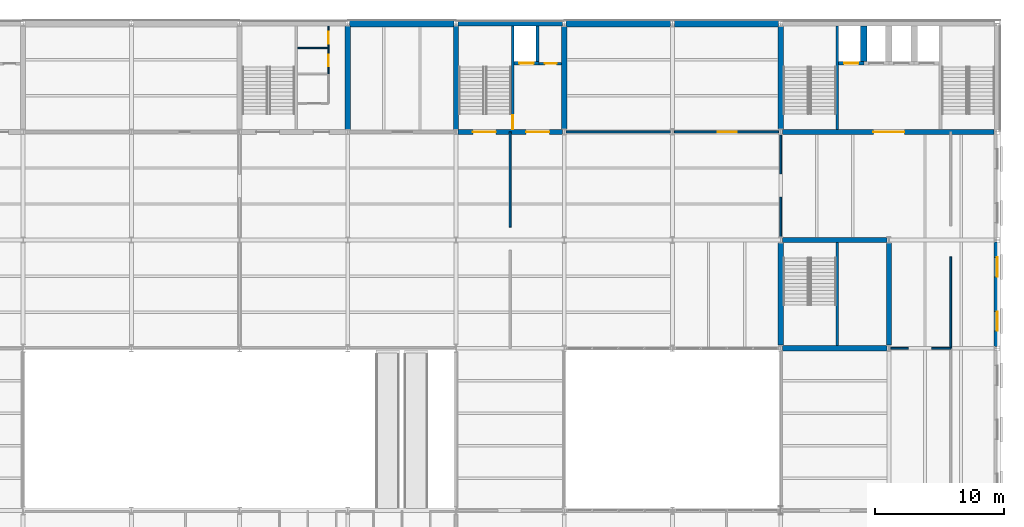
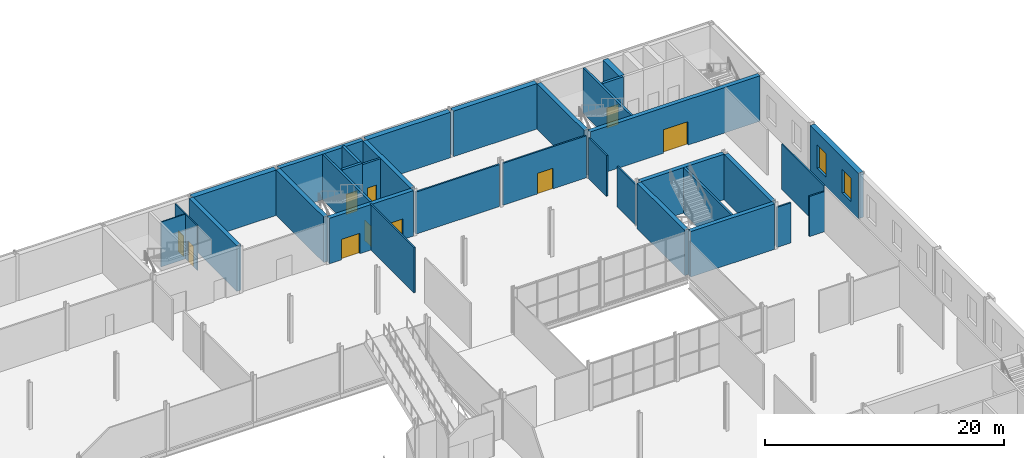
# One storey, part 33 of 57: 34 walls, 10 doors, 2 windows, 12 openings.
"""IFC4 building model written with IfcOpenShell, lengths in metres."""

from ifc_helpers import new_model, si_unit, direction, frame, frame_2d, origin, place, context, subcontext, project, spatial, rectangle, extrude, material, layer, layer_set, type_object, element, fill, save


model = new_model("IFC4")

# Units and contexts
model_context = context("Model", 3, precision=1e-05, world=origin(), true_north=direction((0.0, 1.0)))
body_context = subcontext(model_context, "Body", "Model", "MODEL_VIEW")
ifc_project = project(units=[si_unit("LENGTHUNIT", "METRE"), si_unit("AREAUNIT", "SQUARE_METRE"), si_unit("VOLUMEUNIT", "CUBIC_METRE"), si_unit("PLANEANGLEUNIT", "RADIAN"), si_unit("MASSUNIT", "GRAM", prefix="KILO")], contexts=[model_context])

# Site, building, storey
site_placement = place(None, origin())
site = spatial("IfcSite", under=ifc_project, at=site_placement, CompositionType="ELEMENT")
building_placement = place(site_placement, origin())
building = spatial("IfcBuilding", under=site, at=building_placement, Name="Galleria Vessillo Department Store", CompositionType="ELEMENT")
storey_placement = place(building_placement, frame((0.0, 0.0, 21.0)))
storey = spatial("IfcBuildingStorey", under=building, at=storey_placement, Name="L04", CompositionType="ELEMENT", Elevation=21.0)

# Wall
ifc_material_1 = material(Name="Solid clay block masonry", Category="masonry")
ifc_layer_1 = layer(ifc_material_1, 0.5)
ifc_layer_set_1 = layer_set([ifc_layer_1], Name="Solid clay block masonry")
wall_type_1 = type_object("IfcWallType", Name="Lift shaft partition wall 500 mm", PredefinedType="SOLIDWALL", material=ifc_layer_set_1)
wall_1_placement = place(storey_placement, frame((107.25, 62.800048828125, 0.0), z_axis=(0.0, 0.0, 1.0), x_axis=(0.0, -1.0, 0.0)))
element("IfcWall", 1, at=wall_1_placement, inside=storey, type_object=wall_type_1, Name="Lift shaft partition wall T1 L04", PredefinedType="SOLIDWALL", context=body_context, shape_type="SweptSolid", body=[
    extrude(rectangle(XDim=2.75, YDim=0.5, at=frame_2d((1.375, 0.0))), origin(), (0.0, 0.0, 1.0), 4.800048828125),
])

# Wall, opening, door
ifc_material_2 = material(Name="Solid clay block masonry", Category="masonry")
ifc_layer_2 = layer(ifc_material_2, 0.25)
ifc_layer_set_2 = layer_set([ifc_layer_2], Name="Solid clay block masonry")
wall_type_2 = type_object("IfcWallType", Name="Lift shaft wall 250 mm", PredefinedType="SOLIDWALL", material=ifc_layer_set_2)
wall_2_placement = place(storey_placement, frame((80.10009765625, 59.925048828125, 0.0), z_axis=(0.0, 0.0, 1.0), x_axis=(1.0, 0.0, 0.0)))
wall_2 = element("IfcWall", 2, at=wall_2_placement, inside=storey, type_object=wall_type_2, Name="Lift shaft wall LP6 landing side L04", PredefinedType="SOLIDWALL", context=body_context, shape_type="SweptSolid", body=[
    extrude(rectangle(XDim=1.949951171875, YDim=0.25, at=frame_2d((0.97509765625, 0.0))), origin(), (0.0, 0.0, 1.0), 4.800048828125),
])
opening_1_placement = place(wall_2_placement, frame((0.4248046875, 0.0, 0.0)))
opening_1 = element("IfcOpeningElement", 3, at=opening_1_placement, cuts=wall_2, Name="Opening LD047", PredefinedType="OPENING", context=body_context, shape_type="SweptSolid", body=[
    extrude(rectangle(XDim=1.10009765625, YDim=2.10009765625, at=frame_2d((0.550048828125, 1.050048828125))), frame((0.0, 0.135009765625, 0.0), z_axis=(0.0, -1.0, 0.0), x_axis=(1.0, 0.0, 0.0)), (0.0, 0.0, 1.0), 0.27001953125),
])
ifc_material_3 = material(Name="Stainless steel lift door panel", Category="steel")
door_type_1 = type_object("IfcDoorType", Name="Lift landing door LD110 sliding 1100 x 2100", OperationType="SLIDING_TO_LEFT", PredefinedType="DOOR", material=ifc_material_3)
door_1_placement = place(opening_1_placement, frame((1.10009765625, 0.0, 0.0), z_axis=(0.0, 0.0, 1.0), x_axis=(-1.0, 0.0, 0.0)))
door_1 = element("IfcDoor", 4, at=door_1_placement, inside=storey, type_object=door_type_1, Name="Lift landing door LP6 L04", OperationType="SLIDING_TO_RIGHT", OverallHeight=2.10009765625, OverallWidth=1.10009765625, PredefinedType="DOOR", context=body_context, shape_type="SweptSolid", body=[
    extrude(rectangle(XDim=1.10009765625, YDim=2.10009765625, at=frame_2d((0.550048828125, 1.050048828125))), frame((0.0, 0.02490234375, 0.0), z_axis=(0.0, -1.0, 0.0), x_axis=(1.0, 0.0, 0.0)), (0.0, 0.0, 1.0), 0.050048828125),
])
fill(opening_1, door_1)

# Wall
wall_3_placement = place(storey_placement, frame((81.925048828125, 62.800048828125, 0.0), z_axis=(0.0, 0.0, 1.0), x_axis=(0.0, -1.0, 0.0)))
element("IfcWall", 5, at=wall_3_placement, inside=storey, type_object=wall_type_2, Name="Lift shaft wall LP6 L04", PredefinedType="SOLIDWALL", context=body_context, shape_type="SweptSolid", body=[
    extrude(rectangle(XDim=2.75, YDim=0.25, at=frame_2d((1.375, 0.0))), origin(), (0.0, 0.0, 1.0), 4.800048828125),
])

# Wall, opening, door
wall_4_placement = place(storey_placement, frame((105.300048828125, 59.925048828125, 0.0), z_axis=(0.0, 0.0, 1.0), x_axis=(1.0, 0.0, 0.0)))
wall_4 = element("IfcWall", 6, at=wall_4_placement, inside=storey, type_object=wall_type_2, Name="Lift shaft wall T1 landing side L04", PredefinedType="SOLIDWALL", context=body_context, shape_type="SweptSolid", body=[
    extrude(rectangle(XDim=1.949951171875, YDim=0.25, at=frame_2d((0.97509765625, 0.0))), origin(), (0.0, 0.0, 1.0), 4.800048828125),
])
opening_2_placement = place(wall_4_placement, frame((0.4248046875, 0.0, 0.0)))
opening_2 = element("IfcOpeningElement", 7, at=opening_2_placement, cuts=wall_4, Name="Opening LD089", PredefinedType="OPENING", context=body_context, shape_type="SweptSolid", body=[
    extrude(rectangle(XDim=1.10009765625, YDim=2.10009765625, at=frame_2d((0.550048828125, 1.050048828125))), frame((0.0, 0.135009765625, 0.0), z_axis=(0.0, -1.0, 0.0), x_axis=(1.0, 0.0, 0.0)), (0.0, 0.0, 1.0), 0.27001953125),
])
door_2_placement = place(opening_2_placement, frame((1.10009765625, 0.0, 0.0), z_axis=(0.0, 0.0, 1.0), x_axis=(-1.0, 0.0, 0.0)))
door_2 = element("IfcDoor", 8, at=door_2_placement, inside=storey, type_object=door_type_1, Name="Lift landing door T1 L04", OperationType="SLIDING_TO_RIGHT", OverallHeight=2.10009765625, OverallWidth=1.10009765625, PredefinedType="DOOR", context=body_context, shape_type="SweptSolid", body=[
    extrude(rectangle(XDim=1.10009765625, YDim=2.10009765625, at=frame_2d((0.550048828125, 1.050048828125))), frame((0.0, 0.02490234375, 0.0), z_axis=(0.0, -1.0, 0.0), x_axis=(1.0, 0.0, 0.0)), (0.0, 0.0, 1.0), 0.050048828125),
])
fill(opening_2, door_2)

# Wall, openings, windows
ifc_material_4 = material(Name="Reinforced masonry, limestone units 80 MPa", Category="masonry")
ifc_layer_3 = layer(ifc_material_4, 0.5)
ifc_layer_set_3 = layer_set([ifc_layer_3], Name="Reinforced masonry, limestone units 80 MPa")
wall_type_3 = type_object("IfcWallType", Name="Load-bearing limestone-faced wall 500 mm", PredefinedType="STANDARD", material=ifc_layer_set_3)
wall_5_placement = place(storey_placement, frame((117.60009765625, 37.95361328125, 0.0), z_axis=(0.0, 0.0, 1.0), x_axis=(0.0, 1.0, 0.0)))
wall_5 = element("IfcWall", 9, at=wall_5_placement, inside=storey, type_object=wall_type_3, Name="Load-bearing limestone-faced wall 500 mm SE-L04-04", PredefinedType="STANDARD", context=body_context, shape_type="SweptSolid", body=[
    extrude(rectangle(XDim=8.0927734375, YDim=0.5, at=frame_2d((4.04638671875, 0.0))), origin(), (0.0, 0.0, 1.0), 4.650146484375),
])
opening_3_placement = place(wall_5_placement, frame((1.1962890625, 0.0, 1.0)))
opening_3 = element("IfcOpeningElement", 10, at=opening_3_placement, cuts=wall_5, Name="Opening W061", PredefinedType="OPENING", context=body_context, shape_type="SweptSolid", body=[
    extrude(rectangle(XDim=1.5, YDim=2.39990234375, at=frame_2d((0.75, 1.199951171875))), frame((0.0, 0.260009765625, 0.0), z_axis=(0.0, -1.0, 0.0), x_axis=(1.0, 0.0, 0.0)), (0.0, 0.0, 1.0), 0.52001953125),
])
opening_4_placement = place(wall_5_placement, frame((5.396484375, 0.0, 1.0)))
opening_4 = element("IfcOpeningElement", 11, at=opening_4_placement, cuts=wall_5, Name="Opening W062", PredefinedType="OPENING", context=body_context, shape_type="SweptSolid", body=[
    extrude(rectangle(XDim=1.5, YDim=2.39990234375, at=frame_2d((0.75, 1.199951171875))), frame((0.0, 0.260009765625, 0.0), z_axis=(0.0, -1.0, 0.0), x_axis=(1.0, 0.0, 0.0)), (0.0, 0.0, 1.0), 0.52001953125),
])
ifc_material_5 = material(Name="Aluminium frame with laminated glass 44.2", Category="aluminium")
window_type = type_object("IfcWindowType", Name="Third order window 1500 x 2400", PartitioningType="SINGLE_PANEL", PredefinedType="WINDOW", material=ifc_material_5)
window_1_placement = place(opening_3_placement, origin())
window_1 = element("IfcWindow", 12, at=window_1_placement, inside=storey, type_object=window_type, Name="E-WIN-SE-L04-04-061", OverallHeight=2.39990234375, OverallWidth=1.5, PartitioningType="SINGLE_PANEL", PredefinedType="WINDOW", context=body_context, shape_type="SweptSolid", body=[
    extrude(rectangle(XDim=1.5, YDim=2.39990234375, at=frame_2d((0.75, 1.199951171875))), frame((0.0, 0.030029296875, 0.0), z_axis=(0.0, -1.0, 0.0), x_axis=(1.0, 0.0, 0.0)), (0.0, 0.0, 1.0), 0.06005859375),
])
fill(opening_3, window_1)
window_2_placement = place(opening_4_placement, origin())
window_2 = element("IfcWindow", 13, at=window_2_placement, inside=storey, type_object=window_type, Name="E-WIN-SE-L04-04-062", OverallHeight=2.39990234375, OverallWidth=1.5, PartitioningType="SINGLE_PANEL", PredefinedType="WINDOW", context=body_context, shape_type="SweptSolid", body=[
    extrude(rectangle(XDim=1.5, YDim=2.39990234375, at=frame_2d((0.75, 1.199951171875))), frame((0.0, 0.030029296875, 0.0), z_axis=(0.0, -1.0, 0.0), x_axis=(1.0, 0.0, 0.0)), (0.0, 0.0, 1.0), 0.06005859375),
])
fill(opening_4, window_2)

# Wall, openings, doors
ifc_material_6 = material(Name="Concrete C32/40 reinforced", Category="concrete")
ifc_layer_4 = layer(ifc_material_6, 0.39990234375)
ifc_layer_set_4 = layer_set([ifc_layer_4], Name="Concrete C32/40 reinforced")
wall_type_4 = type_object("IfcWallType", Name="Reinforced concrete core wall 400 mm", PredefinedType="SHEAR", material=ifc_layer_set_4)
wall_6_placement = place(storey_placement, frame((75.75, 54.60009765625, 0.0), z_axis=(0.0, 0.0, 1.0), x_axis=(1.0, 0.0, 0.0)))
wall_6 = element("IfcWall", 14, at=wall_6_placement, inside=storey, type_object=wall_type_4, Name="S-CW-PC-NE-INTERIOR-L04", PredefinedType="SHEAR", context=body_context, shape_type="SweptSolid", body=[
    extrude(rectangle(XDim=8.096435546875, YDim=0.39990234375, at=frame_2d((4.04833984375, 0.0))), origin(), (0.0, 0.0, 1.0), 4.650146484375),
])
opening_5_placement = place(wall_6_placement, frame((1.14990234375, 0.0, 0.0)))
opening_5 = element("IfcOpeningElement", 15, at=opening_5_placement, cuts=wall_6, Name="Opening D5183", PredefinedType="OPENING", context=body_context, shape_type="SweptSolid", body=[
    extrude(rectangle(XDim=1.800048828125, YDim=2.10009765625, at=frame_2d((0.89990234375, 1.050048828125))), frame((0.0, 0.2099609375, 0.0), z_axis=(0.0, -1.0, 0.0), x_axis=(1.0, 0.0, 0.0)), (0.0, 0.0, 1.0), 0.419921875),
])
opening_6_placement = place(wall_6_placement, frame((5.2998046875, 0.0, 0.0)))
opening_6 = element("IfcOpeningElement", 16, at=opening_6_placement, cuts=wall_6, Name="Opening D5184", PredefinedType="OPENING", context=body_context, shape_type="SweptSolid", body=[
    extrude(rectangle(XDim=1.800048828125, YDim=2.10009765625, at=frame_2d((0.89990234375, 1.050048828125))), frame((0.0, 0.2099609375, 0.0), z_axis=(0.0, -1.0, 0.0), x_axis=(1.0, 0.0, 0.0)), (0.0, 0.0, 1.0), 0.419921875),
])
ifc_material_7 = material(Name="Fire-rated steel door leaf", Category="steel")
door_type_2 = type_object("IfcDoorType", Name="Door D180F double leaf 1800 x 2100", OperationType="DOUBLE_DOOR_SINGLE_SWING", PredefinedType="DOOR", material=ifc_material_7)
door_3_placement = place(opening_5_placement, origin())
door_3 = element("IfcDoor", 17, at=door_3_placement, inside=storey, type_object=door_type_2, Name="Lobby door PC-NE-ST-FLOOR L04", OperationType="DOUBLE_DOOR_SINGLE_SWING", OverallHeight=2.10009765625, OverallWidth=1.800048828125, PredefinedType="DOOR", context=body_context, shape_type="SweptSolid", body=[
    extrude(rectangle(XDim=1.800048828125, YDim=2.10009765625, at=frame_2d((0.89990234375, 1.050048828125))), frame((0.0, 0.02490234375, 0.0), z_axis=(0.0, -1.0, 0.0), x_axis=(1.0, 0.0, 0.0)), (0.0, 0.0, 1.0), 0.050048828125),
])
fill(opening_5, door_3)
door_4_placement = place(opening_6_placement, origin())
door_4 = element("IfcDoor", 18, at=door_4_placement, inside=storey, type_object=door_type_2, Name="Lobby door PC-NE-LOBBY-FLOOR L04", OperationType="DOUBLE_DOOR_SINGLE_SWING", OverallHeight=2.10009765625, OverallWidth=1.800048828125, PredefinedType="DOOR", context=body_context, shape_type="SweptSolid", body=[
    extrude(rectangle(XDim=1.800048828125, YDim=2.10009765625, at=frame_2d((0.89990234375, 1.050048828125))), frame((0.0, 0.02490234375, 0.0), z_axis=(0.0, -1.0, 0.0), x_axis=(1.0, 0.0, 0.0)), (0.0, 0.0, 1.0), 0.050048828125),
])
fill(opening_6, door_4)

# Walls
wall_7_placement = place(storey_placement, frame((75.60009765625, 54.800048828125, 0.0), z_axis=(0.0, 0.0, 1.0), x_axis=(0.0, 1.0, 0.0)))
element("IfcWall", 19, at=wall_7_placement, inside=storey, type_object=wall_type_4, Name="S-CW-PC-NE-WEST-L04", PredefinedType="SHEAR", context=body_context, shape_type="SweptSolid", body=[
    extrude(rectangle(XDim=8.0, YDim=0.39990234375, at=frame_2d((4.0, 0.0))), origin(), (0.0, 0.0, 1.0), 4.650146484375),
])
wall_8_placement = place(storey_placement, frame((84.0, 54.839111328125, 0.0), z_axis=(0.0, 0.0, 1.0), x_axis=(0.0, 1.0, 0.0)))
element("IfcWall", 20, at=wall_8_placement, inside=storey, type_object=wall_type_4, Name="S-CW-PC-NE-EAST-L04", PredefinedType="SHEAR", context=body_context, shape_type="SweptSolid", body=[
    extrude(rectangle(XDim=7.921875, YDim=0.39990234375, at=frame_2d((3.9609375, 0.0))), origin(), (0.0, 0.0, 1.0), 4.650146484375),
])
wall_9_placement = place(storey_placement, frame((67.199951171875, 54.800048828125, 0.0), z_axis=(0.0, 0.0, 1.0), x_axis=(0.0, 1.0, 0.0)))
element("IfcWall", 21, at=wall_9_placement, inside=storey, type_object=wall_type_4, Name="S-CW-PC-NC-EAST-L04", PredefinedType="SHEAR", context=body_context, shape_type="SweptSolid", body=[
    extrude(rectangle(XDim=8.0, YDim=0.39990234375, at=frame_2d((4.0, 0.0))), origin(), (0.0, 0.0, 1.0), 4.650146484375),
])

# Wall, opening, door
wall_10_placement = place(storey_placement, frame((100.95361328125, 54.60009765625, 0.0), z_axis=(0.0, 0.0, 1.0), x_axis=(1.0, 0.0, 0.0)))
wall_10 = element("IfcWall", 22, at=wall_10_placement, inside=storey, type_object=wall_type_4, Name="S-CW-TC-INTERIOR-L04", PredefinedType="SHEAR", context=body_context, shape_type="SweptSolid", body=[
    extrude(rectangle(XDim=16.407470703125, YDim=0.39990234375, at=frame_2d((8.20361328125, 0.0))), origin(), (0.0, 0.0, 1.0), 4.650146484375),
])
opening_7_placement = place(wall_10_placement, frame((7.04638671875, 0.0, 0.0)))
opening_7 = element("IfcOpeningElement", 23, at=opening_7_placement, cuts=wall_10, Name="Opening D5268", PredefinedType="OPENING", context=body_context, shape_type="SweptSolid", body=[
    extrude(rectangle(XDim=2.39990234375, YDim=2.39990234375, at=frame_2d((1.199951171875, 1.199951171875))), frame((0.0, 0.2099609375, 0.0), z_axis=(0.0, -1.0, 0.0), x_axis=(1.0, 0.0, 0.0)), (0.0, 0.0, 1.0), 0.419921875),
])
ifc_material_8 = material(Name="Fire-rated steel door leaf", Category="steel")
door_type_3 = type_object("IfcDoorType", Name="Door D240F double leaf 2400 x 2400", OperationType="DOUBLE_DOOR_SINGLE_SWING", PredefinedType="DOOR", material=ifc_material_8)
door_5_placement = place(opening_7_placement, origin())
door_5 = element("IfcDoor", 24, at=door_5_placement, inside=storey, type_object=door_type_3, Name="Lobby door TC-LOBBY-FLOOR L04", OperationType="DOUBLE_DOOR_SINGLE_SWING", OverallHeight=2.39990234375, OverallWidth=2.39990234375, PredefinedType="DOOR", context=body_context, shape_type="SweptSolid", body=[
    extrude(rectangle(XDim=2.39990234375, YDim=2.39990234375, at=frame_2d((1.199951171875, 1.199951171875))), frame((0.0, 0.02490234375, 0.0), z_axis=(0.0, -1.0, 0.0), x_axis=(1.0, 0.0, 0.0)), (0.0, 0.0, 1.0), 0.050048828125),
])
fill(opening_7, door_5)

# Walls
wall_11_placement = place(storey_placement, frame((100.800048828125, 54.839111328125, 0.0), z_axis=(0.0, 0.0, 1.0), x_axis=(0.0, 1.0, 0.0)))
element("IfcWall", 25, at=wall_11_placement, inside=storey, type_object=wall_type_4, Name="S-CW-TC-WEST-L04", PredefinedType="SHEAR", context=body_context, shape_type="SweptSolid", body=[
    extrude(rectangle(XDim=7.921875, YDim=0.39990234375, at=frame_2d((3.9609375, 0.0))), origin(), (0.0, 0.0, 1.0), 4.650146484375),
])
for number, where, z_axis, x_axis, name in (
    (26, (100.95361328125, 37.800048828125, 0.0), (0.0, 0.0, 1.0), (1.0, 0.0, 0.0), "S-CW-TS-PARTY-L04"),
    (27, (100.95361328125, 46.199951171875, 0.0), (0.0, 0.0, 1.0), (1.0, 0.0, 0.0), "S-CW-TS-INTERIOR-L04"),
):
    element("IfcWall", number, at=place(storey_placement, frame(where, z_axis=z_axis, x_axis=x_axis)), inside=storey, type_object=wall_type_4, Name=name, PredefinedType="SHEAR", context=body_context, shape_type="SweptSolid", body=[
        extrude(rectangle(XDim=8.0927734375, YDim=0.39990234375, at=frame_2d((4.04638671875, 0.0))), origin(), (0.0, 0.0, 1.0), 4.650146484375),
    ])
for number, where, z_axis, x_axis, name in (
    (28, (100.800048828125, 38.0390625, 0.0), (0.0, 0.0, 1.0), (0.0, 1.0, 0.0), "S-CW-TS-WEST-L04"),
    (29, (109.199951171875, 38.0390625, 0.0), (0.0, 0.0, 1.0), (0.0, 1.0, 0.0), "S-CW-TS-EAST-L04"),
):
    element("IfcWall", number, at=place(storey_placement, frame(where, z_axis=z_axis, x_axis=x_axis)), inside=storey, type_object=wall_type_4, Name=name, PredefinedType="SHEAR", context=body_context, shape_type="SweptSolid", body=[
        extrude(rectangle(XDim=7.921875, YDim=0.39990234375, at=frame_2d((3.9609375, 0.0))), origin(), (0.0, 0.0, 1.0), 4.650146484375),
    ])
ifc_material_9 = material(Name="Concrete C32/40 reinforced", Category="concrete")
ifc_layer_5 = layer(ifc_material_9, 0.39990234375)
ifc_layer_set_5 = layer_set([ifc_layer_5], Name="Concrete C32/40 reinforced")
wall_type_5 = type_object("IfcWallType", Name="Reinforced concrete core wall 400 mm, external", PredefinedType="SHEAR", material=ifc_layer_set_5)
wall_12_placement = place(storey_placement, frame((75.75, 63.0, 0.0), z_axis=(0.0, 0.0, 1.0), x_axis=(1.0, 0.0, 0.0)))
element("IfcWall", 30, at=wall_12_placement, inside=storey, type_object=wall_type_5, Name="S-CW-PC-NE-PARTY-L04", PredefinedType="SHEAR", context=body_context, shape_type="SweptSolid", body=[
    extrude(rectangle(XDim=8.096435546875, YDim=0.39990234375, at=frame_2d((4.04833984375, 0.0))), origin(), (0.0, 0.0, 1.0), 4.650146484375),
])
ifc_material_10 = material(Name="Concrete C32/40 reinforced", Category="concrete")
ifc_layer_6 = layer(ifc_material_10, 0.5)
ifc_layer_set_6 = layer_set([ifc_layer_6], Name="Concrete C32/40 reinforced")
wall_type_6 = type_object("IfcWallType", Name="Reinforced concrete party wall 500 mm", PredefinedType="SHEAR", material=ifc_layer_set_6)
wall_13_placement = place(storey_placement, frame((67.349853515625, 63.0, 0.0), z_axis=(0.0, 0.0, 1.0), x_axis=(1.0, 0.0, 0.0)))
element("IfcWall", 31, at=wall_13_placement, inside=storey, type_object=wall_type_6, Name="S-PN-L04-06", PredefinedType="SHEAR", context=body_context, shape_type="SweptSolid", body=[
    extrude(rectangle(XDim=8.100341796875, YDim=0.5, at=frame_2d((4.05029296875, 0.0))), origin(), (0.0, 0.0, 1.0), 4.650146484375),
])
wall_14_placement = place(storey_placement, frame((84.153564453125, 63.0, 0.0), z_axis=(0.0, 0.0, 1.0), x_axis=(1.0, 0.0, 0.0)))
element("IfcWall", 32, at=wall_14_placement, inside=storey, type_object=wall_type_6, Name="S-PN-L04-07", PredefinedType="SHEAR", context=body_context, shape_type="SweptSolid", body=[
    extrude(rectangle(XDim=8.0927734375, YDim=0.5, at=frame_2d((4.04638671875, 0.0))), origin(), (0.0, 0.0, 1.0), 4.650146484375),
])
wall_15_placement = place(storey_placement, frame((92.553466796875, 63.0, 0.0), z_axis=(0.0, 0.0, 1.0), x_axis=(1.0, 0.0, 0.0)))
element("IfcWall", 33, at=wall_15_placement, inside=storey, type_object=wall_type_6, Name="S-PN-L04-08", PredefinedType="SHEAR", context=body_context, shape_type="SweptSolid", body=[
    extrude(rectangle(XDim=8.093017578125, YDim=0.5, at=frame_2d((4.04638671875, 0.0))), origin(), (0.0, 0.0, 1.0), 4.650146484375),
])

# Wall, opening, door
ifc_material_11 = material(Name="Concrete C32/40 reinforced", Category="concrete")
ifc_layer_7 = layer(ifc_material_11, 0.199951171875)
ifc_layer_set_7 = layer_set([ifc_layer_7], Name="Concrete C32/40 reinforced")
wall_type_7 = type_object("IfcWallType", Name="Reinforced concrete stair enclosure wall 200 mm", PredefinedType="SHEAR", material=ifc_layer_set_7)
wall_16_placement = place(storey_placement, frame((80.0, 62.800048828125, 0.0), z_axis=(0.0, 0.0, 1.0), x_axis=(0.0, -1.0, 0.0)))
wall_16 = element("IfcWall", 34, at=wall_16_placement, inside=storey, type_object=wall_type_7, Name="Stair enclosure wall PC-NE L04", PredefinedType="SHEAR", context=body_context, shape_type="SweptSolid", body=[
    extrude(rectangle(XDim=8.0, YDim=0.199951171875, at=frame_2d((4.0, 0.0))), origin(), (0.0, 0.0, 1.0), 4.64990234375),
])
opening_8_placement = place(wall_16_placement, frame((6.89990234375, 0.0, 0.0)))
opening_8 = element("IfcOpeningElement", 35, at=opening_8_placement, cuts=wall_16, Name="Opening D5181", PredefinedType="OPENING", context=body_context, shape_type="SweptSolid", body=[
    extrude(rectangle(XDim=1.11009765625, YDim=2.10009765625, at=frame_2d((0.554931640625, 1.050048828125))), frame((0.0, 0.10986328125, 0.0), z_axis=(0.0, -1.0, 0.0), x_axis=(1.0, 0.0, 0.0)), (0.0, 0.0, 1.0), 0.219970703125),
])
ifc_material_12 = material(Name="Fire-rated steel door leaf", Category="steel")
door_type_4 = type_object("IfcDoorType", Name="Door D110F stair door 1100 x 2100", OperationType="SINGLE_SWING_LEFT", PredefinedType="DOOR", material=ifc_material_12)
door_6_placement = place(opening_8_placement, frame((1.10009765625, 0.0, 0.0), z_axis=(0.0, 0.0, 1.0), x_axis=(-1.0, 0.0, 0.0)))
door_6 = element("IfcDoor", 36, at=door_6_placement, inside=storey, type_object=door_type_4, Name="Stair door PC-NE-ST-LOBBY L04", OperationType="SINGLE_SWING_LEFT", OverallHeight=2.10009765625, OverallWidth=1.10009765625, PredefinedType="DOOR", context=body_context, shape_type="SweptSolid", body=[
    extrude(rectangle(XDim=1.10009765625, YDim=2.10009765625, at=frame_2d((0.550048828125, 1.050048828125))), frame((0.0, 0.02490234375, 0.0), z_axis=(0.0, -1.0, 0.0), x_axis=(1.0, 0.0, 0.0)), (0.0, 0.0, 1.0), 0.050048828125),
])
fill(opening_8, door_6)

# Walls
for number, where, z_axis, x_axis, name in (
    (37, (105.199951171875, 62.800048828125, 0.0), (0.0, 0.0, 1.0), (0.0, -1.0, 0.0), "Stair enclosure wall TC L04"),
    (38, (105.199951171875, 38.0, 0.0), (0.0, 0.0, 1.0), (0.0, 1.0, 0.0), "Stair enclosure wall TS L04"),
):
    element("IfcWall", number, at=place(storey_placement, frame(where, z_axis=z_axis, x_axis=x_axis)), inside=storey, type_object=wall_type_7, Name=name, PredefinedType="SHEAR", context=body_context, shape_type="SweptSolid", body=[
        extrude(rectangle(XDim=8.0, YDim=0.199951171875, at=frame_2d((4.0, 0.0))), origin(), (0.0, 0.0, 1.0), 4.64990234375),
    ])

# Wall, opening, door
ifc_material_13 = material(Name="Hollow clay block masonry", Category="masonry")
ifc_layer_8 = layer(ifc_material_13, 0.199951171875)
ifc_layer_set_8 = layer_set([ifc_layer_8], Name="Hollow clay block masonry")
wall_type_8 = type_object("IfcWallType", Name="Riser and service room wall 200 mm", PredefinedType="PARTITIONING", material=ifc_layer_set_8)
wall_17_placement = place(storey_placement, frame((82.050048828125, 59.900146484375, 0.0), z_axis=(0.0, 0.0, 1.0), x_axis=(1.0, 0.0, 0.0)))
wall_17 = element("IfcWall", 39, at=wall_17_placement, inside=storey, type_object=wall_type_8, Name="Riser wall PC-NE-RISER L04", PredefinedType="PARTITIONING", context=body_context, shape_type="SweptSolid", body=[
    extrude(rectangle(XDim=1.75, YDim=0.199951171875, at=frame_2d((0.875, 0.0))), origin(), (0.0, 0.0, 1.0), 4.64990234375),
])
opening_9_placement = place(wall_17_placement, frame((0.449951171875, 0.0, 0.0)))
opening_9 = element("IfcOpeningElement", 40, at=opening_9_placement, cuts=wall_17, Name="Opening D5182", PredefinedType="OPENING", context=body_context, shape_type="SweptSolid", body=[
    extrude(rectangle(XDim=0.89990234375, YDim=2.10009765625, at=frame_2d((0.449951171875, 1.050048828125))), frame((0.0, 0.10986328125, 0.0), z_axis=(0.0, -1.0, 0.0), x_axis=(1.0, 0.0, 0.0)), (0.0, 0.0, 1.0), 0.219970703125),
])
ifc_material_14 = material(Name="Fire-rated steel door leaf", Category="steel")
door_type_5 = type_object("IfcDoorType", Name="Door DR90 riser access 900 x 2100", OperationType="SINGLE_SWING_LEFT", PredefinedType="DOOR", material=ifc_material_14)
door_7_placement = place(opening_9_placement, origin())
door_7 = element("IfcDoor", 41, at=door_7_placement, inside=storey, type_object=door_type_5, Name="Riser door PC-NE-RISER-D L04", OperationType="SINGLE_SWING_RIGHT", OverallHeight=2.10009765625, OverallWidth=0.89990234375, PredefinedType="DOOR", context=body_context, shape_type="SweptSolid", body=[
    extrude(rectangle(XDim=0.89990234375, YDim=2.10009765625, at=frame_2d((0.449951171875, 1.050048828125))), frame((0.0, 0.02490234375, 0.0), z_axis=(0.0, -1.0, 0.0), x_axis=(1.0, 0.0, 0.0)), (0.0, 0.0, 1.0), 0.050048828125),
])
fill(opening_9, door_7)

# Walls
ifc_material_15 = material(Name="Gypsum board partition")
ifc_layer_9 = layer(ifc_material_15, 0.139892578125)
ifc_layer_set_9 = layer_set([ifc_layer_9], Name="Gypsum board partition")
wall_type_9 = type_object("IfcWallType", Name="Sales dividing wall 140 mm", PredefinedType="PARTITIONING", material=ifc_layer_set_9)
wall_18_placement = place(storey_placement, frame((79.800048828125, 47.199951171875, 0.0), z_axis=(0.0, 0.0, 1.0), x_axis=(0.0, 1.0, 0.0)))
element("IfcWall", 42, at=wall_18_placement, inside=storey, type_object=wall_type_9, Name="Partition wall PT3 on L04 no. 073", PredefinedType="PARTITIONING", context=body_context, shape_type="SweptSolid", body=[
    extrude(rectangle(XDim=7.39013671875, YDim=0.139892578125, at=frame_2d((3.695068359375, 0.0))), origin(), (0.0, 0.0, 1.0), 4.650146484375),
])
wall_19_placement = place(storey_placement, frame((100.800048828125, 46.43896484375, 0.0), z_axis=(0.0, 0.0, 1.0), x_axis=(0.0, 1.0, 0.0)))
element("IfcWall", 43, at=wall_19_placement, inside=storey, type_object=wall_type_9, Name="Partition wall PT3 on L04 no. 074", PredefinedType="PARTITIONING", context=body_context, shape_type="SweptSolid", body=[
    extrude(rectangle(XDim=3.10009765625, YDim=0.139892578125, at=frame_2d((1.550048828125, 0.0))), origin(), (0.0, 0.0, 1.0), 4.159912109375),
])
wall_20_placement = place(storey_placement, frame((100.800048828125, 51.3388671875, 0.0), z_axis=(0.0, 0.0, 1.0), x_axis=(0.0, 1.0, 0.0)))
element("IfcWall", 44, at=wall_20_placement, inside=storey, type_object=wall_type_9, Name="Partition wall PT3 on L04 no. 075", PredefinedType="PARTITIONING", context=body_context, shape_type="SweptSolid", body=[
    extrude(rectangle(XDim=3.022216796875, YDim=0.139892578125, at=frame_2d((1.51123046875, 0.0))), origin(), (0.0, 0.0, 1.0), 4.159912109375),
])
wall_21_placement = place(storey_placement, frame((109.353515625, 37.800048828125, 0.0), z_axis=(0.0, 0.0, 1.0), x_axis=(1.0, 0.0, 0.0)))
element("IfcWall", 45, at=wall_21_placement, inside=storey, type_object=wall_type_9, Name="Partition wall PT3 on L04 no. 076", PredefinedType="PARTITIONING", context=body_context, shape_type="SweptSolid", body=[
    extrude(rectangle(XDim=1.349853515625, YDim=0.139892578125, at=frame_2d((0.6748046875, 0.0))), origin(), (0.0, 0.0, 1.0), 4.110107421875),
])
wall_22_placement = place(storey_placement, frame((112.50341796875, 37.800048828125, 0.0), z_axis=(0.0, 0.0, 1.0), x_axis=(1.0, 0.0, 0.0)))
element("IfcWall", 46, at=wall_22_placement, inside=storey, type_object=wall_type_9, Name="Partition wall PT3 on L04 no. 077", PredefinedType="PARTITIONING", context=body_context, shape_type="SweptSolid", body=[
    extrude(rectangle(XDim=1.49658203125, YDim=0.139892578125, at=frame_2d((0.748291015625, 0.0))), origin(), (0.0, 0.0, 1.0), 4.110107421875),
])
wall_23_placement = place(storey_placement, frame((114.0, 37.800048828125, 0.0), z_axis=(0.0, 0.0, 1.0), x_axis=(0.0, 1.0, 0.0)))
element("IfcWall", 47, at=wall_23_placement, inside=storey, type_object=wall_type_9, Name="Partition wall PT3 on L04 no. 078", PredefinedType="PARTITIONING", context=body_context, shape_type="SweptSolid", body=[
    extrude(rectangle(XDim=7.099853515625, YDim=0.139892578125, at=frame_2d((3.5498046875, 0.0))), origin(), (0.0, 0.0, 1.0), 4.650146484375),
])
ifc_material_16 = material(Name="Concrete blockwork", Category="masonry")
ifc_layer_10 = layer(ifc_material_16, 0.14990234375)
ifc_layer_set_10 = layer_set([ifc_layer_10], Name="Concrete blockwork")
wall_type_10 = type_object("IfcWallType", Name="Stockroom blockwork wall 150 mm", PredefinedType="SOLIDWALL", material=ifc_layer_set_10)
wall_24_placement = place(storey_placement, frame((84.153564453125, 54.60009765625, 0.0), z_axis=(0.0, 0.0, 1.0), x_axis=(1.0, 0.0, 0.0)))
element("IfcWall", 48, at=wall_24_placement, inside=storey, type_object=wall_type_10, Name="Partition wall PT4 on L04 no. 034", PredefinedType="SOLIDWALL", context=body_context, shape_type="SweptSolid", body=[
    extrude(rectangle(XDim=8.0927734375, YDim=0.14990234375, at=frame_2d((4.04638671875, 0.0))), origin(), (0.0, 0.0, 1.0), 4.300048828125),
])

# Wall, opening, door
wall_25_placement = place(storey_placement, frame((92.553466796875, 54.60009765625, 0.0), z_axis=(0.0, 0.0, 1.0), x_axis=(1.0, 0.0, 0.0)))
wall_25 = element("IfcWall", 49, at=wall_25_placement, inside=storey, type_object=wall_type_10, Name="Partition wall PT4 on L04 no. 035", PredefinedType="SOLIDWALL", context=body_context, shape_type="SweptSolid", body=[
    extrude(rectangle(XDim=8.093017578125, YDim=0.14990234375, at=frame_2d((4.04638671875, 0.0))), origin(), (0.0, 0.0, 1.0), 4.300048828125),
])
opening_10_placement = place(wall_25_placement, frame((3.35009765625, 0.0, 0.0)))
opening_10 = element("IfcOpeningElement", 50, at=opening_10_placement, cuts=wall_25, Name="Opening D2621", PredefinedType="OPENING", context=body_context, shape_type="SweptSolid", body=[
    extrude(rectangle(XDim=1.5, YDim=2.10009765625, at=frame_2d((0.75, 1.050048828125))), frame((0.0, 0.0849609375, 0.0), z_axis=(0.0, -1.0, 0.0), x_axis=(1.0, 0.0, 0.0)), (0.0, 0.0, 1.0), 0.169921875),
])
ifc_material_17 = material(Name="Steel fire door leaf", Category="steel")
door_type_6 = type_object("IfcDoorType", Name="Stockroom fire door 1500 double leaf", OperationType="DOUBLE_DOOR_SINGLE_SWING", PredefinedType="DOOR", material=ifc_material_17)
door_8_placement = place(opening_10_placement, origin())
door_8 = element("IfcDoor", 51, at=door_8_placement, inside=storey, type_object=door_type_6, Name="Door D2621", OperationType="DOUBLE_DOOR_SINGLE_SWING", OverallHeight=2.10009765625, OverallWidth=1.5, PredefinedType="DOOR", context=body_context, shape_type="SweptSolid", body=[
    extrude(rectangle(XDim=1.5, YDim=2.10009765625, at=frame_2d((0.75, 1.050048828125))), frame((0.0, 0.02490234375, 0.0), z_axis=(0.0, -1.0, 0.0), x_axis=(1.0, 0.0, 0.0)), (0.0, 0.0, 1.0), 0.050048828125),
])
fill(opening_10, door_8)

ifc_material_18 = material(Name="Moisture-resistant board partition")
ifc_layer_11 = layer(ifc_material_18, 0.10009765625)
ifc_layer_set_11 = layer_set([ifc_layer_11], Name="Moisture-resistant board partition")
wall_type_11 = type_object("IfcWallType", Name="WC and cubicle partition 100 mm", PredefinedType="PARTITIONING", material=ifc_layer_set_11)
wall_26_placement = place(storey_placement, frame((65.699951171875, 59.10009765625, 0.0), z_axis=(0.0, 0.0, 1.0), x_axis=(0.0, 1.0, 0.0)))
wall_26 = element("IfcWall", 52, at=wall_26_placement, inside=storey, type_object=wall_type_11, Name="Partition wall PT1 on L04 no. 009", PredefinedType="PARTITIONING", context=body_context, shape_type="SweptSolid", body=[
    extrude(rectangle(XDim=2.0, YDim=0.10009765625, at=frame_2d((1.0, 0.0))), origin(), (0.0, 0.0, 1.0), 4.580078125),
])
opening_11_placement = place(wall_26_placement, frame((0.60009765625, 0.0, 0.0)))
opening_11 = element("IfcOpeningElement", 53, at=opening_11_placement, cuts=wall_26, Name="Opening D2605", PredefinedType="OPENING", context=body_context, shape_type="SweptSolid", body=[
    extrude(rectangle(XDim=0.89990234375, YDim=2.10009765625, at=frame_2d((0.449951171875, 1.050048828125))), frame((0.0, 0.06005859375, 0.0), z_axis=(0.0, -1.0, 0.0), x_axis=(1.0, 0.0, 0.0)), (0.0, 0.0, 1.0), 0.1201171875),
])
ifc_material_19 = material(Name="Timber and glass door leaf", Category="wood")
door_type_7 = type_object("IfcDoorType", Name="Floor door 900 single leaf", OperationType="SINGLE_SWING_LEFT", PredefinedType="DOOR", material=ifc_material_19)
door_9_placement = place(opening_11_placement, frame((0.89990234375, 0.0, 0.0), z_axis=(0.0, 0.0, 1.0), x_axis=(-1.0, 0.0, 0.0)))
door_9 = element("IfcDoor", 54, at=door_9_placement, inside=storey, type_object=door_type_7, Name="Door D2605", OperationType="SINGLE_SWING_RIGHT", OverallHeight=2.10009765625, OverallWidth=0.89990234375, PredefinedType="DOOR", context=body_context, shape_type="SweptSolid", body=[
    extrude(rectangle(XDim=0.89990234375, YDim=2.10009765625, at=frame_2d((0.449951171875, 1.050048828125))), frame((0.0, 0.02490234375, 0.0), z_axis=(0.0, -1.0, 0.0), x_axis=(1.0, 0.0, 0.0)), (0.0, 0.0, 1.0), 0.050048828125),
])
fill(opening_11, door_9)

wall_27_placement = place(storey_placement, frame((65.699951171875, 61.10009765625, 0.0), z_axis=(0.0, 0.0, 1.0), x_axis=(0.0, 1.0, 0.0)))
wall_27 = element("IfcWall", 55, at=wall_27_placement, inside=storey, type_object=wall_type_11, Name="Partition wall PT1 on L04 no. 010", PredefinedType="PARTITIONING", context=body_context, shape_type="SweptSolid", body=[
    extrude(rectangle(XDim=1.699951171875, YDim=0.10009765625, at=frame_2d((0.85009765625, 0.0))), origin(), (0.0, 0.0, 1.0), 4.580078125),
])
opening_12_placement = place(wall_27_placement, frame((0.35009765625, 0.0, 0.0)))
opening_12 = element("IfcOpeningElement", 56, at=opening_12_placement, cuts=wall_27, Name="Opening D2606", PredefinedType="OPENING", context=body_context, shape_type="SweptSolid", body=[
    extrude(rectangle(XDim=0.89990234375, YDim=2.10009765625, at=frame_2d((0.449951171875, 1.050048828125))), frame((0.0, 0.06005859375, 0.0), z_axis=(0.0, -1.0, 0.0), x_axis=(1.0, 0.0, 0.0)), (0.0, 0.0, 1.0), 0.1201171875),
])
ifc_material_20 = material(Name="Timber and glass door leaf", Category="wood")
door_type_8 = type_object("IfcDoorType", Name="Accessible WC door 900 sliding", OperationType="SLIDING_TO_LEFT", PredefinedType="DOOR", material=ifc_material_20)
door_10_placement = place(opening_12_placement, origin())
door_10 = element("IfcDoor", 57, at=door_10_placement, inside=storey, type_object=door_type_8, Name="Door D2606", OperationType="SLIDING_TO_RIGHT", OverallHeight=2.10009765625, OverallWidth=0.89990234375, PredefinedType="DOOR", context=body_context, shape_type="SweptSolid", body=[
    extrude(rectangle(XDim=0.89990234375, YDim=2.10009765625, at=frame_2d((0.449951171875, 1.050048828125))), frame((0.0, 0.02490234375, 0.0), z_axis=(0.0, -1.0, 0.0), x_axis=(1.0, 0.0, 0.0)), (0.0, 0.0, 1.0), 0.050048828125),
])
fill(opening_12, door_10)

# Wall
wall_28_placement = place(storey_placement, frame((63.300048828125, 61.10009765625, 0.0), z_axis=(0.0, 0.0, 1.0), x_axis=(1.0, 0.0, 0.0)))
element("IfcWall", 58, at=wall_28_placement, inside=storey, type_object=wall_type_11, Name="Partition wall PT1 on L04 no. 012", PredefinedType="PARTITIONING", context=body_context, shape_type="SweptSolid", body=[
    extrude(rectangle(XDim=2.39990234375, YDim=0.10009765625, at=frame_2d((1.199951171875, 0.0))), origin(), (0.0, 0.0, 1.0), 4.580078125),
])

save(model, "model.ifc")
